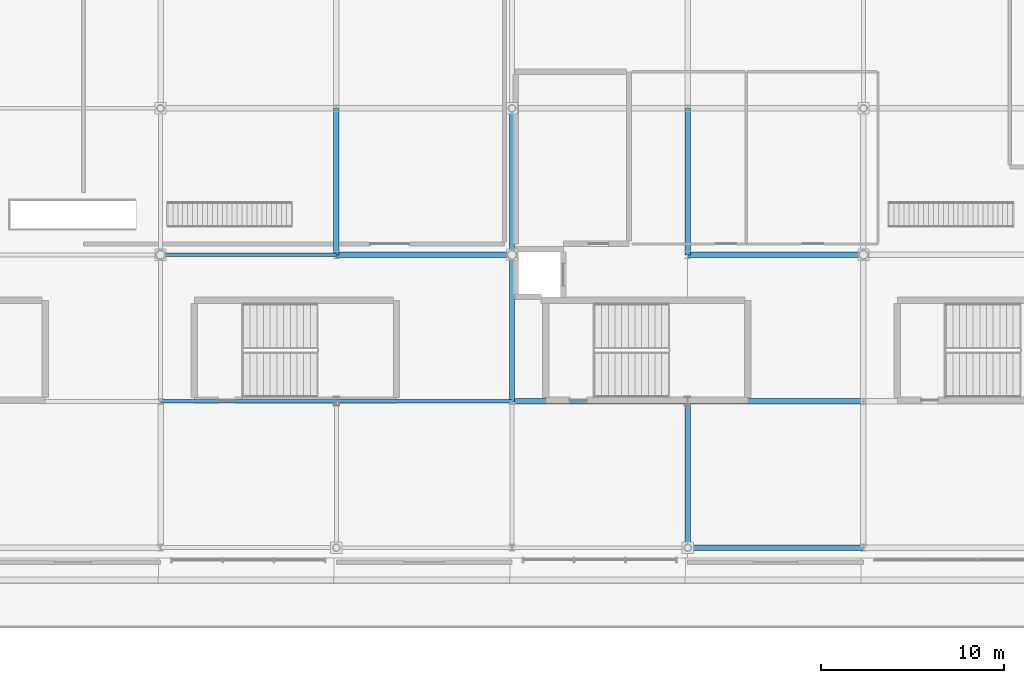
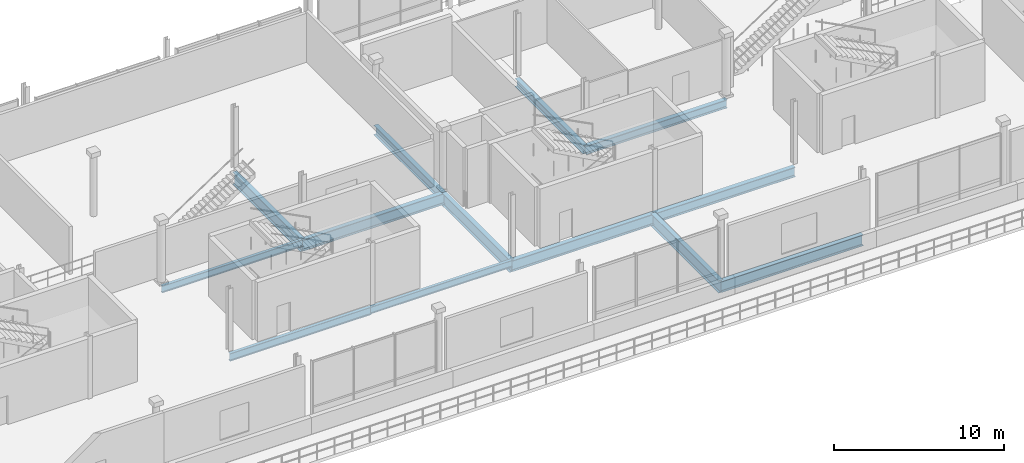
# One storey, part 10 of 36: 13 beams.
"""IFC4 building model written with IfcOpenShell, lengths in metres."""

import ifcopenshell
import ifcopenshell.guid

model = None  # the IFC model being written
_history = None  # IfcOwnerHistory: only IFC2X3 demands one
_inside = {}  # id of a spatial element -> (the spatial element, [elements in it])
_under = {}  # id of a project, library or spatial element -> (it, [spatial elements below it])
_declared = {}  # id of a project -> (the project, [libraries it declares])
_typed = {}  # id of a type object -> (the type object, [elements of that type])
_made_of = {}  # id of a material, layer set ... -> (it, [elements and type objects made of it])


def new_model(schema):
    """Start an empty IFC model of exactly this schema.

    Asked for "IFC4X3", IfcOpenShell would pick the latest addendum, in which some entities
    have other attributes; the version numbers below select the first issue.
    IFC2X3 requires an IfcOwnerHistory on every rooted entity: one is made here for all.
    """
    global model, _history
    if schema == "IFC4X3":
        model = ifcopenshell.file(schema_version=(4, 3, 0, 0))
    else:
        model = ifcopenshell.file(schema=schema)
    _inside.clear()
    _under.clear()
    _declared.clear()
    _typed.clear()
    _made_of.clear()
    _history = None
    if model.schema == "IFC2X3":
        org = make("IfcOrganization", Name="unknown")
        user = make(
            "IfcPersonAndOrganization",
            ThePerson=make("IfcPerson", FamilyName="unknown"),
            TheOrganization=org,
        )
        app = make(
            "IfcApplication",
            ApplicationDeveloper=org,
            Version="unknown",
            ApplicationFullName="unknown",
            ApplicationIdentifier="unknown",
        )
        _history = make(
            "IfcOwnerHistory",
            OwningUser=user,
            OwningApplication=app,
            ChangeAction="ADDED",
            CreationDate=0,
        )
    return model


def make(cls, **values):
    """One entity of the class cls with the attributes given. An attribute that is None is left unset."""
    return model.create_entity(
        cls, **{name: value for name, value in values.items() if value is not None}
    )


def rooted(cls, **values):
    """An entity with a GlobalId (a new one), such as an element, a storey or a relation."""
    return make(cls, GlobalId=ifcopenshell.guid.new(), OwnerHistory=_history, **values)


def si_unit(unit_type, name, prefix=None):
    """IfcSIUnit, for example si_unit("LENGTHUNIT", "METRE", prefix="MILLI")."""
    return make("IfcSIUnit", UnitType=unit_type, Prefix=prefix, Name=name)


def assignment(units):
    """IfcUnitAssignment: the units of a project."""
    return None if units is None else make("IfcUnitAssignment", Units=units)


def point(xyz):
    """IfcCartesianPoint."""
    return None if xyz is None else make("IfcCartesianPoint", Coordinates=xyz)


def direction(xyz):
    """IfcDirection."""
    return None if xyz is None else make("IfcDirection", DirectionRatios=xyz)


def frame(location, z_axis=None, x_axis=None):
    """IfcAxis2Placement3D, a coordinate frame: its origin and axes. An axis left out is left unset."""
    return make(
        "IfcAxis2Placement3D",
        Location=point(location),
        Axis=direction(z_axis),
        RefDirection=direction(x_axis),
    )


def frame_2d(location, x_axis=None):
    """IfcAxis2Placement2D, a coordinate frame in the plane: its origin and x axis."""
    return make(
        "IfcAxis2Placement2D", Location=point(location), RefDirection=direction(x_axis)
    )


def origin():
    """The frame at (0, 0, 0) with its axes left unset."""
    return frame((0.0, 0.0, 0.0))


def origin_2d():
    """The frame at (0, 0) in the plane with its x axis left unset."""
    return frame_2d((0.0, 0.0))


def place(relative_to, where):
    """IfcLocalPlacement: puts the frame where relative to a parent placement (None: the world)."""
    return make(
        "IfcLocalPlacement", PlacementRelTo=relative_to, RelativePlacement=where
    )


def context(
    kind, dimensions, precision=None, world=None, true_north=None, identifier=None
):
    """IfcGeometricRepresentationContext, for example the 3D "Model" context."""
    return make(
        "IfcGeometricRepresentationContext",
        ContextIdentifier=identifier,
        ContextType=kind,
        CoordinateSpaceDimension=dimensions,
        Precision=precision,
        WorldCoordinateSystem=world,
        TrueNorth=true_north,
    )


def subcontext(parent, identifier, kind, view, scale=None):
    """IfcGeometricRepresentationSubContext, for example "Body" below "Model"."""
    return make(
        "IfcGeometricRepresentationSubContext",
        ContextIdentifier=identifier,
        ContextType=kind,
        ParentContext=parent,
        TargetScale=scale,
        TargetView=view,
    )


def project(units=None, contexts=None):
    """IfcProject with its units and contexts."""
    return rooted(
        "IfcProject",
        Name="project",
        RepresentationContexts=contexts,
        UnitsInContext=assignment(units),
    )


def spatial(cls, under=None, at=None, **own):
    """A site, building, storey or space (cls), placed at a placement, below another one or the project."""
    s = rooted(cls, ObjectPlacement=at, **own)
    if under is not None:
        _under.setdefault(under.id(), (under, []))[1].append(s)
    return s


def profile(cls, at=None, kind="AREA", **sizes):
    """A parametric profile (cls). Its sizes go by their IFC names, for example OverallWidth=200.0."""
    return make(cls, ProfileType=kind, Position=at, **sizes)


def i_section(**sizes):
    """IfcIShapeProfileDef."""
    return profile("IfcIShapeProfileDef", **sizes)


def extrude(swept, where, along, depth):
    """IfcExtrudedAreaSolid: the profile swept, set in the frame where, extruded along a direction by depth."""
    return make(
        "IfcExtrudedAreaSolid",
        SweptArea=swept,
        Position=where,
        ExtrudedDirection=direction(along),
        Depth=depth,
    )


def shape(context_of_items, identifier, shape_type, items):
    """IfcShapeRepresentation: the items that make up one representation, for example the "Body"."""
    return make(
        "IfcShapeRepresentation",
        ContextOfItems=context_of_items,
        RepresentationIdentifier=identifier,
        RepresentationType=shape_type,
        Items=items,
    )


def material(Name=None, Category=None):
    """IfcMaterial."""
    return make("IfcMaterial", Name=Name, Category=Category)


def material_profile(
    of_material, cross_section, Name=None, Category=None, Priority=None
):
    """IfcMaterialProfile: a cross section and its material."""
    return make(
        "IfcMaterialProfile",
        Name=Name,
        Material=of_material,
        Profile=cross_section,
        Priority=Priority,
        Category=Category,
    )


def profile_set(profiles, Name=None, composite=None):
    """IfcMaterialProfileSet."""
    return make(
        "IfcMaterialProfileSet",
        Name=Name,
        MaterialProfiles=profiles,
        CompositeProfile=composite,
    )


def made_of(thing, what):
    """Note that an element or type object is made of a material, layer set ...; save() writes the relation."""
    if what is not None:
        _made_of.setdefault(what.id(), (what, []))[1].append(thing)
    return thing


def type_object(cls, material=None, **own):
    """A type object (cls), such as IfcWallType, which elements share."""
    return made_of(rooted(cls, **own), material)


def element(
    cls,
    number,
    at=None,
    inside=None,
    cuts=None,
    type_object=None,
    material=None,
    context=None,
    identifier="Body",
    shape_type=None,
    held_by="IfcProductDefinitionShape",
    body=None,
    shapes=None,
    **own,
):
    """One element of the class cls, such as IfcWall. Its Tag is "e" and its number.

    at: its placement. inside: the storey or other place that contains it. cuts: it is an
    opening in that element (IfcRelVoidsElement). A single representation is given by context,
    identifier, shape_type and body (its items); several are given by shapes. held_by: the class
    of the entity that holds the representations. save() writes the other relations.
    """
    e = rooted(cls, Tag="e%d" % number, ObjectPlacement=at, **own)
    if body is not None:
        shapes = [shape(context, identifier, shape_type, body)]
    if shapes is not None:
        e.Representation = make(held_by, Representations=shapes)
    if inside is not None:
        _inside.setdefault(inside.id(), (inside, []))[1].append(e)
    if cuts is not None:
        rooted(
            "IfcRelVoidsElement", RelatingBuildingElement=cuts, RelatedOpeningElement=e
        )
    if type_object is not None:
        _typed.setdefault(type_object.id(), (type_object, []))[1].append(e)
    return made_of(e, material)


def aggregate(whole, parts):
    """IfcRelAggregates: a whole, such as a stair, and the parts it consists of."""
    return rooted("IfcRelAggregates", RelatingObject=whole, RelatedObjects=parts)


def save(model, path):
    """Write the relations noted so far, then the file.

    IfcRelAggregates (storeys below a building ...), IfcRelContainedInSpatialStructure (elements
    in a storey), IfcRelDefinesByType, IfcRelAssociatesMaterial and IfcRelDeclares: one each for
    every whole, place, type object, material and project.
    """
    for whole, parts in _under.values():
        aggregate(whole, parts)
    for where, things in _inside.values():
        rooted(
            "IfcRelContainedInSpatialStructure",
            RelatedElements=things,
            RelatingStructure=where,
        )
    for kind, things in _typed.values():
        rooted("IfcRelDefinesByType", RelatedObjects=things, RelatingType=kind)
    for what, things in _made_of.values():
        rooted("IfcRelAssociatesMaterial", RelatedObjects=things, RelatingMaterial=what)
    for by, libraries in _declared.values():
        rooted("IfcRelDeclares", RelatingContext=by, RelatedDefinitions=libraries)
    model.write(path)


model = new_model("IFC4")

# Units and contexts
model_context = context("Model", 3, precision=1e-05, world=origin(), true_north=direction((0.0, 1.0)))
body_context = subcontext(model_context, "Body", "Model", "MODEL_VIEW")
ifc_project = project(units=[si_unit("LENGTHUNIT", "METRE"), si_unit("AREAUNIT", "SQUARE_METRE"), si_unit("VOLUMEUNIT", "CUBIC_METRE"), si_unit("PLANEANGLEUNIT", "RADIAN"), si_unit("MASSUNIT", "GRAM", prefix="KILO")], contexts=[model_context])

# Site, building, storey
site_placement = place(None, origin())
site = spatial("IfcSite", under=ifc_project, at=site_placement, CompositionType="ELEMENT")
building_placement = place(site_placement, origin())
building = spatial("IfcBuilding", under=site, at=building_placement, Name="Danafjord Basin Convention Centre", CompositionType="ELEMENT")
storey_placement = place(building_placement, frame((0.0, 0.0, 20.39990234375)))
storey = spatial("IfcBuildingStorey", under=building, at=storey_placement, Name="L04", CompositionType="ELEMENT", Elevation=20.39990234375)

# Beams
ifc_material = material(Name="Steel S355", Category="steel")
ifc_material_profile_1 = material_profile(ifc_material, i_section(OverallWidth=0.300048828125, OverallDepth=0.60009765625, WebThickness=0.015380859375, FlangeThickness=0.030029296875, FilletRadius=0.027099609375, at=origin_2d()), Name="HEB 600")
ifc_profile_set_1 = profile_set([ifc_material_profile_1], Name="Steel S355")
beam_type_1 = type_object("IfcBeamType", Name="BEAM-BM-HEB600", PredefinedType="BEAM", material=ifc_profile_set_1)
beam_1_placement = place(storey_placement, frame((57.60009765625, 24.0, -0.52392578125), z_axis=(1.0, 0.0, 0.0), x_axis=(0.0, 1.0, 0.0)))
element("IfcBeam", 1, at=beam_1_placement, inside=storey, type_object=beam_type_1, Name="L04 girder BM-HEB600", PredefinedType="BEAM", context=body_context, shape_type="SweptSolid", body=[
    extrude(i_section(OverallWidth=0.300048828125, OverallDepth=0.60009765625, WebThickness=0.015380859375, FlangeThickness=0.030029296875, FilletRadius=0.027099609375, at=origin_2d()), origin(), (0.0, 0.0, 1.0), 9.599853515625),
])
beam_2_placement = place(storey_placement, frame((57.60009765625, 24.0, -0.52392578125), z_axis=(0.0, 1.0, 0.0), x_axis=(-1.0, 0.0, 0.0)))
element("IfcBeam", 2, at=beam_2_placement, inside=storey, type_object=beam_type_1, Name="L04 transverse girder BM-HEB600", PredefinedType="BEAM", context=body_context, shape_type="SweptSolid", body=[
    extrude(i_section(OverallWidth=0.300048828125, OverallDepth=0.60009765625, WebThickness=0.015380859375, FlangeThickness=0.030029296875, FilletRadius=0.027099609375, at=origin_2d()), origin(), (0.0, 0.0, 1.0), 8.0),
])
ifc_material_profile_2 = material_profile(ifc_material, i_section(OverallWidth=0.300048828125, OverallDepth=0.699951171875, WebThickness=0.01708984375, FlangeThickness=0.031982421875, FilletRadius=0.027099609375, at=origin_2d()), Name="HEB 700")
ifc_profile_set_2 = profile_set([ifc_material_profile_2], Name="Steel S355")
beam_type_2 = type_object("IfcBeamType", Name="BEAM-BM-HEB700", PredefinedType="BEAM", material=ifc_profile_set_2)
beam_3_placement = place(storey_placement, frame((57.60009765625, 16.0, -0.573974609375), z_axis=(1.0, 0.0, 0.0), x_axis=(0.0, 1.0, 0.0)))
element("IfcBeam", 3, at=beam_3_placement, inside=storey, type_object=beam_type_2, Name="L04 girder BM-HEB700", PredefinedType="BEAM", context=body_context, shape_type="SweptSolid", body=[
    extrude(i_section(OverallWidth=0.300048828125, OverallDepth=0.699951171875, WebThickness=0.01708984375, FlangeThickness=0.031982421875, FilletRadius=0.027099609375, at=origin_2d()), origin(), (0.0, 0.0, 1.0), 9.599853515625),
])
beam_4_placement = place(storey_placement, frame((48.0, 24.0, -0.573974609375), z_axis=(0.0, 1.0, 0.0), x_axis=(-1.0, 0.0, 0.0)))
element("IfcBeam", 4, at=beam_4_placement, inside=storey, type_object=beam_type_2, Name="L04 transverse girder BM-HEB700", PredefinedType="BEAM", context=body_context, shape_type="SweptSolid", body=[
    extrude(i_section(OverallWidth=0.300048828125, OverallDepth=0.699951171875, WebThickness=0.01708984375, FlangeThickness=0.031982421875, FilletRadius=0.027099609375, at=origin_2d()), origin(), (0.0, 0.0, 1.0), 8.0),
])
ifc_material_profile_3 = material_profile(ifc_material, i_section(OverallWidth=0.300048828125, OverallDepth=0.800048828125, WebThickness=0.017578125, FlangeThickness=0.032958984375, FilletRadius=0.030029296875, at=origin_2d()), Name="HEB 800")
ifc_profile_set_3 = profile_set([ifc_material_profile_3], Name="Steel S355")
beam_type_3 = type_object("IfcBeamType", Name="BEAM-BM-HEB800", PredefinedType="BEAM", material=ifc_profile_set_3)
for number, where, z_axis, x_axis, name in (
    (5, (38.39990234375, 24.0, -0.6240234375), (1.0, 0.0, 0.0), (0.0, 1.0, 0.0), "L04 girder BM-HEB800"),
    (6, (48.0, 16.0, -0.6240234375), (1.0, 0.0, 0.0), (0.0, 1.0, 0.0), "L04 girder BM-HEB800"),
):
    element("IfcBeam", number, at=place(storey_placement, frame(where, z_axis=z_axis, x_axis=x_axis)), inside=storey, type_object=beam_type_3, Name=name, PredefinedType="BEAM", context=body_context, shape_type="SweptSolid", body=[
        extrude(i_section(OverallWidth=0.300048828125, OverallDepth=0.800048828125, WebThickness=0.017578125, FlangeThickness=0.032958984375, FilletRadius=0.030029296875, at=origin_2d()), origin(), (0.0, 0.0, 1.0), 9.60009765625),
    ])
beam_5_placement = place(storey_placement, frame((57.60009765625, 8.0, -0.6259765625), z_axis=(1.0, 0.0, 0.0), x_axis=(0.0, 1.0, 0.0)))
element("IfcBeam", 7, at=beam_5_placement, inside=storey, type_object=beam_type_3, Name="L04 girder BM-HEB800", PredefinedType="BEAM", context=body_context, shape_type="SweptSolid", body=[
    extrude(i_section(OverallWidth=0.300048828125, OverallDepth=0.800048828125, WebThickness=0.017578125, FlangeThickness=0.032958984375, FilletRadius=0.030029296875, at=origin_2d()), origin(), (0.0, 0.0, 1.0), 9.599853515625),
])
ifc_material_profile_4 = material_profile(ifc_material, i_section(OverallWidth=0.300048828125, OverallDepth=0.89990234375, WebThickness=0.0185546875, FlangeThickness=0.034912109375, FilletRadius=0.030029296875, at=origin_2d()), Name="HEB 900")
ifc_profile_set_4 = profile_set([ifc_material_profile_4], Name="Steel S355")
beam_type_4 = type_object("IfcBeamType", Name="BEAM-BM-HEB900", PredefinedType="BEAM", material=ifc_profile_set_4)
for number, where, z_axis, x_axis, name in (
    (8, (38.39990234375, 24.0, -0.673828125), (0.0, 1.0, 0.0), (-1.0, 0.0, 0.0), "L04 transverse girder BM-HEB900"),
    (9, (48.0, 16.0, -0.673828125), (0.0, 1.0, 0.0), (-1.0, 0.0, 0.0), "L04 transverse girder BM-HEB900"),
    (10, (57.60009765625, 8.0, -0.673828125), (0.0, 1.0, 0.0), (-1.0, 0.0, 0.0), "L04 transverse girder BM-HEB900"),
):
    element("IfcBeam", number, at=place(storey_placement, frame(where, z_axis=z_axis, x_axis=x_axis)), inside=storey, type_object=beam_type_4, Name=name, PredefinedType="BEAM", context=body_context, shape_type="SweptSolid", body=[
        extrude(i_section(OverallWidth=0.300048828125, OverallDepth=0.89990234375, WebThickness=0.0185546875, FlangeThickness=0.034912109375, FilletRadius=0.030029296875, at=origin_2d()), origin(), (0.0, 0.0, 1.0), 8.0),
    ])
ifc_material_profile_5 = material_profile(ifc_material, i_section(OverallWidth=0.199951171875, OverallDepth=0.5, WebThickness=0.01025390625, FlangeThickness=0.01611328125, FilletRadius=0.02099609375, at=origin_2d()), Name="IPE 500")
ifc_profile_set_5 = profile_set([ifc_material_profile_5], Name="Steel S355")
beam_type_5 = type_object("IfcBeamType", Name="BEAM-BM-IPE500", PredefinedType="BEAM", material=ifc_profile_set_5)
beam_6_placement = place(storey_placement, frame((28.800048828125, 24.0, -0.473876953125), z_axis=(1.0, 0.0, 0.0), x_axis=(0.0, 1.0, 0.0)))
element("IfcBeam", 11, at=beam_6_placement, inside=storey, type_object=beam_type_5, Name="L04 girder BM-IPE500", PredefinedType="BEAM", context=body_context, shape_type="SweptSolid", body=[
    extrude(i_section(OverallWidth=0.199951171875, OverallDepth=0.5, WebThickness=0.01025390625, FlangeThickness=0.01611328125, FilletRadius=0.02099609375, at=origin_2d()), origin(), (0.0, 0.0, 1.0), 9.599853515625),
])
beam_7_placement = place(storey_placement, frame((38.39990234375, 16.0, -0.473876953125), z_axis=(1.0, 0.0, 0.0), x_axis=(0.0, 1.0, 0.0)))
element("IfcBeam", 12, at=beam_7_placement, inside=storey, type_object=beam_type_5, Name="L04 girder BM-IPE500", PredefinedType="BEAM", context=body_context, shape_type="SweptSolid", body=[
    extrude(i_section(OverallWidth=0.199951171875, OverallDepth=0.5, WebThickness=0.01025390625, FlangeThickness=0.01611328125, FilletRadius=0.02099609375, at=origin_2d()), origin(), (0.0, 0.0, 1.0), 9.60009765625),
])
ifc_material_profile_6 = material_profile(ifc_material, i_section(OverallWidth=0.2099609375, OverallDepth=0.550048828125, WebThickness=0.010986328125, FlangeThickness=0.01708984375, FilletRadius=0.02392578125, at=origin_2d()), Name="IPE 550")
ifc_profile_set_6 = profile_set([ifc_material_profile_6], Name="Steel S355")
beam_type_6 = type_object("IfcBeamType", Name="BEAM-BM-IPE550", PredefinedType="BEAM", material=ifc_profile_set_6)
beam_8_placement = place(storey_placement, frame((28.800048828125, 16.0, -0.4990234375), z_axis=(1.0, 0.0, 0.0), x_axis=(0.0, 1.0, 0.0)))
element("IfcBeam", 13, at=beam_8_placement, inside=storey, type_object=beam_type_6, Name="L04 girder BM-IPE550", PredefinedType="BEAM", context=body_context, shape_type="SweptSolid", body=[
    extrude(i_section(OverallWidth=0.2099609375, OverallDepth=0.550048828125, WebThickness=0.010986328125, FlangeThickness=0.01708984375, FilletRadius=0.02392578125, at=origin_2d()), origin(), (0.0, 0.0, 1.0), 9.599853515625),
])

save(model, "model.ifc")
